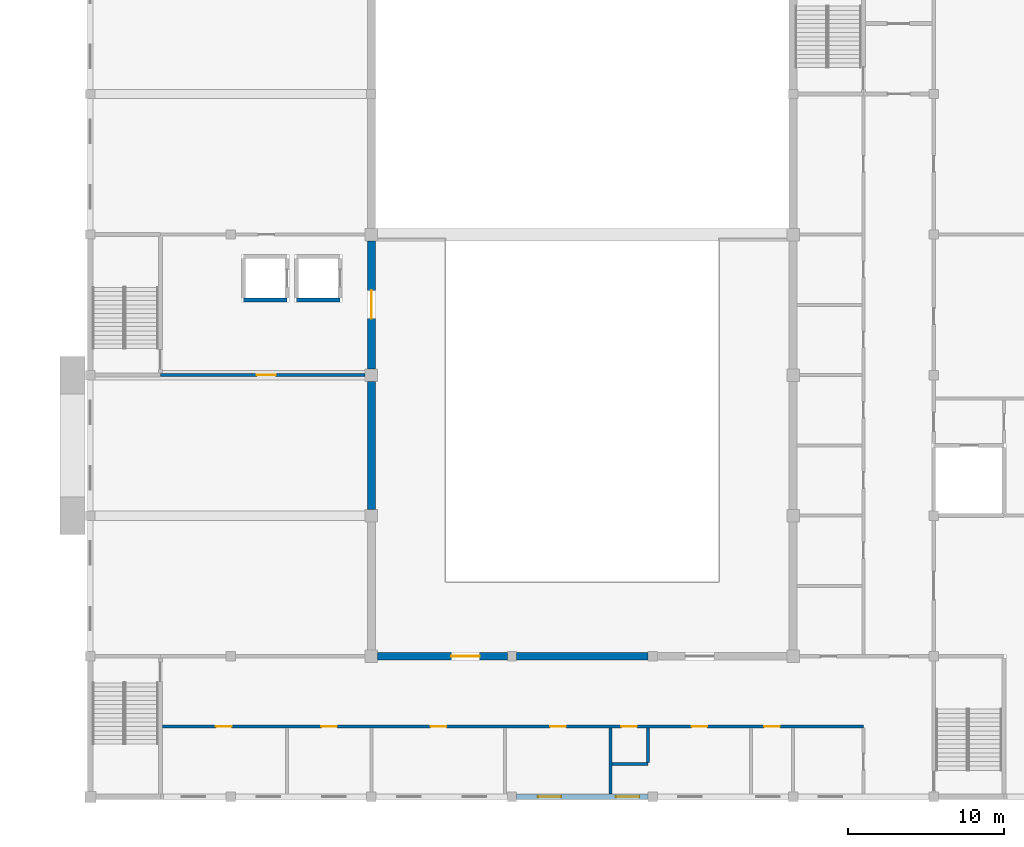
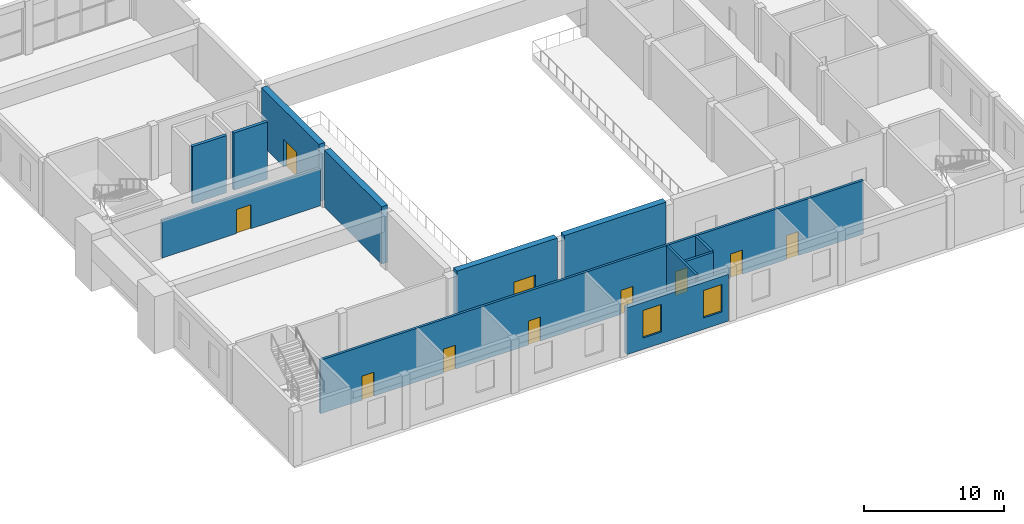
# One storey, part 22 of 34: 12 walls, 10 doors, 2 windows, 12 openings.
"""IFC4 building model written with IfcOpenShell, lengths in metres."""

from ifc_helpers import new_model, si_unit, direction, frame, frame_2d, origin, place, context, subcontext, project, spatial, rectangle, extrude, material, layer, layer_set, type_object, element, fill, save


model = new_model("IFC4")

# Units and contexts
model_context = context("Model", 3, precision=1e-05, world=origin(), true_north=direction((0.0, 1.0)))
body_context = subcontext(model_context, "Body", "Model", "MODEL_VIEW")
ifc_project = project(units=[si_unit("LENGTHUNIT", "METRE"), si_unit("AREAUNIT", "SQUARE_METRE"), si_unit("VOLUMEUNIT", "CUBIC_METRE"), si_unit("PLANEANGLEUNIT", "RADIAN"), si_unit("MASSUNIT", "GRAM", prefix="KILO")], contexts=[model_context])

# Site, building, storey
site_placement = place(None, origin())
site = spatial("IfcSite", under=ifc_project, at=site_placement, CompositionType="ELEMENT")
building_placement = place(site_placement, origin())
building = spatial("IfcBuilding", under=site, at=building_placement, Name="Firuza Court", CompositionType="ELEMENT")
storey_placement = place(building_placement, frame((0.0, 0.0, 19.0)))
storey = spatial("IfcBuildingStorey", under=building, at=storey_placement, Name="L03", CompositionType="ELEMENT", Elevation=19.0)

# Wall
ifc_material_1 = material(Name="Blockwork", Category="masonry")
ifc_layer_1 = layer(ifc_material_1, 0.199951171875)
ifc_layer_set_1 = layer_set([ifc_layer_1], Name="Blockwork")
wall_type_1 = type_object("IfcWallType", Name="HALL PARTITION 200", PredefinedType="STANDARD", material=ifc_layer_set_1)
wall_1_placement = place(storey_placement, frame((123.39990234375, -6.89990234375, 0.0), z_axis=(0.0, 0.0, 1.0), x_axis=(1.0, 0.0, 0.0)))
element("IfcWall", 1, at=wall_1_placement, inside=storey, type_object=wall_type_1, Name="Wall L03.10", PredefinedType="STANDARD", context=body_context, shape_type="SweptSolid", body=[
    extrude(rectangle(XDim=2.300048828125, YDim=0.199951171875, at=frame_2d((1.14990234375, 0.0))), origin(), (0.0, 0.0, 1.0), 4.699951171875),
])

# Wall, openings, doors
wall_2_placement = place(storey_placement, frame((94.625, -4.5, 0.0), z_axis=(0.0, 0.0, 1.0), x_axis=(1.0, 0.0, 0.0)))
wall_2 = element("IfcWall", 2, at=wall_2_placement, inside=storey, type_object=wall_type_1, Name="Wall L03.11", PredefinedType="STANDARD", context=body_context, shape_type="SweptSolid", body=[
    extrude(rectangle(XDim=44.875, YDim=0.199951171875, at=frame_2d((22.4375, 0.0))), origin(), (0.0, 0.0, 1.0), 4.699951171875),
])
opening_1_placement = place(wall_2_placement, frame((3.419921875, 0.0, 0.0)))
opening_1 = element("IfcOpeningElement", 3, at=opening_1_placement, cuts=wall_2, Name="Opening H130", PredefinedType="OPENING", context=body_context, shape_type="SweptSolid", body=[
    extrude(rectangle(XDim=1.0, YDim=2.10009765625, at=frame_2d((0.5, 1.050048828125))), frame((0.0, 0.11181640625, 0.0), z_axis=(0.0, -1.0, 0.0), x_axis=(1.0, 0.0, 0.0)), (0.0, 0.0, 1.0), 0.223876953125),
])
opening_2_placement = place(wall_2_placement, frame((10.169921875, 0.0, 0.0)))
opening_2 = element("IfcOpeningElement", 4, at=opening_2_placement, cuts=wall_2, Name="Opening H131", PredefinedType="OPENING", context=body_context, shape_type="SweptSolid", body=[
    extrude(rectangle(XDim=1.0, YDim=2.10009765625, at=frame_2d((0.5, 1.050048828125))), frame((0.0, 0.11181640625, 0.0), z_axis=(0.0, -1.0, 0.0), x_axis=(1.0, 0.0, 0.0)), (0.0, 0.0, 1.0), 0.223876953125),
])
opening_3_placement = place(wall_2_placement, frame((17.169921875, 0.0, 0.0)))
opening_3 = element("IfcOpeningElement", 5, at=opening_3_placement, cuts=wall_2, Name="Opening H134", PredefinedType="OPENING", context=body_context, shape_type="SweptSolid", body=[
    extrude(rectangle(XDim=1.0, YDim=2.10009765625, at=frame_2d((0.5, 1.050048828125))), frame((0.0, 0.11181640625, 0.0), z_axis=(0.0, -1.0, 0.0), x_axis=(1.0, 0.0, 0.0)), (0.0, 0.0, 1.0), 0.223876953125),
])
opening_4_placement = place(wall_2_placement, frame((24.820068359375, 0.0, 0.0)))
opening_4 = element("IfcOpeningElement", 6, at=opening_4_placement, cuts=wall_2, Name="Opening H135", PredefinedType="OPENING", context=body_context, shape_type="SweptSolid", body=[
    extrude(rectangle(XDim=1.0, YDim=2.10009765625, at=frame_2d((0.5, 1.050048828125))), frame((0.0, 0.11181640625, 0.0), z_axis=(0.0, -1.0, 0.0), x_axis=(1.0, 0.0, 0.0)), (0.0, 0.0, 1.0), 0.223876953125),
])
opening_5_placement = place(wall_2_placement, frame((29.3701171875, 0.0, 0.0)))
opening_5 = element("IfcOpeningElement", 7, at=opening_5_placement, cuts=wall_2, Name="Opening H136", PredefinedType="OPENING", context=body_context, shape_type="SweptSolid", body=[
    extrude(rectangle(XDim=1.0, YDim=2.10009765625, at=frame_2d((0.5, 1.050048828125))), frame((0.0, 0.11181640625, 0.0), z_axis=(0.0, -1.0, 0.0), x_axis=(1.0, 0.0, 0.0)), (0.0, 0.0, 1.0), 0.223876953125),
])
opening_6_placement = place(wall_2_placement, frame((33.8701171875, 0.0, 0.0)))
opening_6 = element("IfcOpeningElement", 8, at=opening_6_placement, cuts=wall_2, Name="Opening H137", PredefinedType="OPENING", context=body_context, shape_type="SweptSolid", body=[
    extrude(rectangle(XDim=1.0, YDim=2.10009765625, at=frame_2d((0.5, 1.050048828125))), frame((0.0, 0.11181640625, 0.0), z_axis=(0.0, -1.0, 0.0), x_axis=(1.0, 0.0, 0.0)), (0.0, 0.0, 1.0), 0.223876953125),
])
opening_7_placement = place(wall_2_placement, frame((38.52001953125, 0.0, 0.0)))
opening_7 = element("IfcOpeningElement", 9, at=opening_7_placement, cuts=wall_2, Name="Opening H138", PredefinedType="OPENING", context=body_context, shape_type="SweptSolid", body=[
    extrude(rectangle(XDim=1.0, YDim=2.10009765625, at=frame_2d((0.5, 1.050048828125))), frame((0.0, 0.11181640625, 0.0), z_axis=(0.0, -1.0, 0.0), x_axis=(1.0, 0.0, 0.0)), (0.0, 0.0, 1.0), 0.223876953125),
])
ifc_material_2 = material(Name="Timber", Category="wood")
door_type_1 = type_object("IfcDoorType", Name="HALL DOOR 1000X2100", OperationType="SINGLE_SWING_LEFT", PredefinedType="DOOR", material=ifc_material_2)
door_1_placement = place(opening_1_placement, frame((1.0, 0.0, 0.0), z_axis=(0.0, 0.0, 1.0), x_axis=(-1.0, 0.0, 0.0)))
door_1 = element("IfcDoor", 10, at=door_1_placement, inside=storey, type_object=door_type_1, Name="Door Sponsors' bar", OperationType="SINGLE_SWING_RIGHT", OverallHeight=2.10009765625, OverallWidth=1.0, PredefinedType="DOOR", context=body_context, shape_type="SweptSolid", body=[
    extrude(rectangle(XDim=1.0, YDim=2.10009765625, at=frame_2d((0.5, 1.050048828125))), frame((0.0, 0.02490234375, 0.0), z_axis=(0.0, -1.0, 0.0), x_axis=(1.0, 0.0, 0.0)), (0.0, 0.0, 1.0), 0.050048828125),
])
fill(opening_1, door_1)
door_2_placement = place(opening_2_placement, frame((1.0, 0.0, 0.0), z_axis=(0.0, 0.0, 1.0), x_axis=(-1.0, 0.0, 0.0)))
door_2 = element("IfcDoor", 11, at=door_2_placement, inside=storey, type_object=door_type_1, Name="Door Stationery store", OperationType="SINGLE_SWING_RIGHT", OverallHeight=2.10009765625, OverallWidth=1.0, PredefinedType="DOOR", context=body_context, shape_type="SweptSolid", body=[
    extrude(rectangle(XDim=1.0, YDim=2.10009765625, at=frame_2d((0.5, 1.050048828125))), frame((0.0, 0.02490234375, 0.0), z_axis=(0.0, -1.0, 0.0), x_axis=(1.0, 0.0, 0.0)), (0.0, 0.0, 1.0), 0.050048828125),
])
fill(opening_2, door_2)
door_3_placement = place(opening_3_placement, frame((1.0, 0.0, 0.0), z_axis=(0.0, 0.0, 1.0), x_axis=(-1.0, 0.0, 0.0)))
door_3 = element("IfcDoor", 12, at=door_3_placement, inside=storey, type_object=door_type_1, Name="Door Women's WC", OperationType="SINGLE_SWING_RIGHT", OverallHeight=2.10009765625, OverallWidth=1.0, PredefinedType="DOOR", context=body_context, shape_type="SweptSolid", body=[
    extrude(rectangle(XDim=1.0, YDim=2.10009765625, at=frame_2d((0.5, 1.050048828125))), frame((0.0, 0.02490234375, 0.0), z_axis=(0.0, -1.0, 0.0), x_axis=(1.0, 0.0, 0.0)), (0.0, 0.0, 1.0), 0.050048828125),
])
fill(opening_3, door_3)
door_4_placement = place(opening_4_placement, frame((1.0, 0.0, 0.0), z_axis=(0.0, 0.0, 1.0), x_axis=(-1.0, 0.0, 0.0)))
door_4 = element("IfcDoor", 13, at=door_4_placement, inside=storey, type_object=door_type_1, Name="Door Men's WC", OperationType="SINGLE_SWING_RIGHT", OverallHeight=2.10009765625, OverallWidth=1.0, PredefinedType="DOOR", context=body_context, shape_type="SweptSolid", body=[
    extrude(rectangle(XDim=1.0, YDim=2.10009765625, at=frame_2d((0.5, 1.050048828125))), frame((0.0, 0.02490234375, 0.0), z_axis=(0.0, -1.0, 0.0), x_axis=(1.0, 0.0, 0.0)), (0.0, 0.0, 1.0), 0.050048828125),
])
fill(opening_4, door_4)
door_5_placement = place(opening_5_placement, frame((1.0, 0.0, 0.0), z_axis=(0.0, 0.0, 1.0), x_axis=(-1.0, 0.0, 0.0)))
door_5 = element("IfcDoor", 14, at=door_5_placement, inside=storey, type_object=door_type_1, Name="Door Accessible WC", OperationType="SINGLE_SWING_RIGHT", OverallHeight=2.10009765625, OverallWidth=1.0, PredefinedType="DOOR", context=body_context, shape_type="SweptSolid", body=[
    extrude(rectangle(XDim=1.0, YDim=2.10009765625, at=frame_2d((0.5, 1.050048828125))), frame((0.0, 0.02490234375, 0.0), z_axis=(0.0, -1.0, 0.0), x_axis=(1.0, 0.0, 0.0)), (0.0, 0.0, 1.0), 0.050048828125),
])
fill(opening_5, door_5)
door_6_placement = place(opening_6_placement, frame((1.0, 0.0, 0.0), z_axis=(0.0, 0.0, 1.0), x_axis=(-1.0, 0.0, 0.0)))
door_6 = element("IfcDoor", 15, at=door_6_placement, inside=storey, type_object=door_type_1, Name="Door Parents' room", OperationType="SINGLE_SWING_RIGHT", OverallHeight=2.10009765625, OverallWidth=1.0, PredefinedType="DOOR", context=body_context, shape_type="SweptSolid", body=[
    extrude(rectangle(XDim=1.0, YDim=2.10009765625, at=frame_2d((0.5, 1.050048828125))), frame((0.0, 0.02490234375, 0.0), z_axis=(0.0, -1.0, 0.0), x_axis=(1.0, 0.0, 0.0)), (0.0, 0.0, 1.0), 0.050048828125),
])
fill(opening_6, door_6)
door_7_placement = place(opening_7_placement, frame((1.0, 0.0, 0.0), z_axis=(0.0, 0.0, 1.0), x_axis=(-1.0, 0.0, 0.0)))
door_7 = element("IfcDoor", 16, at=door_7_placement, inside=storey, type_object=door_type_1, Name="Door Cleaner's store", OperationType="SINGLE_SWING_RIGHT", OverallHeight=2.10009765625, OverallWidth=1.0, PredefinedType="DOOR", context=body_context, shape_type="SweptSolid", body=[
    extrude(rectangle(XDim=1.0, YDim=2.10009765625, at=frame_2d((0.5, 1.050048828125))), frame((0.0, 0.02490234375, 0.0), z_axis=(0.0, -1.0, 0.0), x_axis=(1.0, 0.0, 0.0)), (0.0, 0.0, 1.0), 0.050048828125),
])
fill(opening_7, door_7)

# Wall, opening, door
wall_3_placement = place(storey_placement, frame((94.5, 18.0, 0.0), z_axis=(0.0, 0.0, 1.0), x_axis=(1.0, 0.0, 0.0)))
wall_3 = element("IfcWall", 17, at=wall_3_placement, inside=storey, type_object=wall_type_1, Name="Wall L03.28", PredefinedType="STANDARD", context=body_context, shape_type="SweptSolid", body=[
    extrude(rectangle(XDim=13.10009765625, YDim=0.199951171875, at=frame_2d((6.550048828125, 0.0))), origin(), (0.0, 0.0, 1.0), 3.300048828125),
])
opening_8_placement = place(wall_3_placement, frame((6.169921875, 0.0, 0.0)))
opening_8 = element("IfcOpeningElement", 18, at=opening_8_placement, cuts=wall_3, Name="Opening H122", PredefinedType="OPENING", context=body_context, shape_type="SweptSolid", body=[
    extrude(rectangle(XDim=1.199951171875, YDim=2.10009765625, at=frame_2d((0.60009765625, 1.050048828125))), frame((0.0, 0.11181640625, 0.0), z_axis=(0.0, -1.0, 0.0), x_axis=(1.0, 0.0, 0.0)), (0.0, 0.0, 1.0), 0.223876953125),
])
ifc_material_3 = material(Name="Timber", Category="wood")
door_type_2 = type_object("IfcDoorType", Name="HALL DOOR 1200X2100", OperationType="SINGLE_SWING_LEFT", PredefinedType="DOOR", material=ifc_material_3)
door_8_placement = place(opening_8_placement, origin())
door_8 = element("IfcDoor", 19, at=door_8_placement, inside=storey, type_object=door_type_2, Name="Door Sponsors' lounge to Upper balcony foyer", OperationType="SINGLE_SWING_RIGHT", OverallHeight=2.10009765625, OverallWidth=1.199951171875, PredefinedType="DOOR", context=body_context, shape_type="SweptSolid", body=[
    extrude(rectangle(XDim=1.199951171875, YDim=2.10009765625, at=frame_2d((0.60009765625, 1.050048828125))), frame((0.0, 0.02490234375, 0.0), z_axis=(0.0, -1.0, 0.0), x_axis=(1.0, 0.0, 0.0)), (0.0, 0.0, 1.0), 0.050048828125),
])
fill(opening_8, door_8)

# Walls
wall_4_placement = place(storey_placement, frame((123.300048828125, -8.824951171875, 0.0), z_axis=(0.0, 0.0, 1.0), x_axis=(0.0, 1.0, 0.0)))
element("IfcWall", 20, at=wall_4_placement, inside=storey, type_object=wall_type_1, Name="Wall L03.69", PredefinedType="STANDARD", context=body_context, shape_type="SweptSolid", body=[
    extrude(rectangle(XDim=4.224853515625, YDim=0.199951171875, at=frame_2d((2.1123046875, 0.0))), origin(), (0.0, 0.0, 1.0), 4.699951171875),
])
wall_5_placement = place(storey_placement, frame((125.699951171875, -6.800048828125, 0.0), z_axis=(0.0, 0.0, 1.0), x_axis=(0.0, 1.0, 0.0)))
element("IfcWall", 21, at=wall_5_placement, inside=storey, type_object=wall_type_1, Name="Wall L03.70", PredefinedType="STANDARD", context=body_context, shape_type="SweptSolid", body=[
    extrude(rectangle(XDim=2.199951171875, YDim=0.199951171875, at=frame_2d((1.10009765625, 0.0))), origin(), (0.0, 0.0, 1.0), 4.699951171875),
])
ifc_material_4 = material(Name="Concrete C40/50", Category="concrete")
ifc_layer_2 = layer(ifc_material_4, 0.25)
ifc_layer_set_2 = layer_set([ifc_layer_2], Name="Concrete C40/50")
wall_type_2 = type_object("IfcWallType", Name="HALL RC WALL 250", PredefinedType="STANDARD", material=ifc_layer_set_2)
for number, where, z_axis, x_axis, name in (
    (22, (99.800048828125, 22.800048828125, 0.0), (0.0, 0.0, 1.0), (1.0, 0.0, 0.0), "Wall L03.31"),
    (23, (103.199951171875, 22.800048828125, 0.0), (0.0, 0.0, 1.0), (1.0, 0.0, 0.0), "Wall L03.32"),
):
    element("IfcWall", number, at=place(storey_placement, frame(where, z_axis=z_axis, x_axis=x_axis)), inside=storey, type_object=wall_type_2, Name=name, PredefinedType="STANDARD", context=body_context, shape_type="SweptSolid", body=[
        extrude(rectangle(XDim=2.800048828125, YDim=0.25, at=frame_2d((1.39990234375, 0.0))), origin(), (0.0, 0.0, 1.0), 5.0),
    ])

# Wall, opening, door
ifc_layer_3 = layer(ifc_material_4, 0.5)
ifc_layer_set_3 = layer_set([ifc_layer_3], Name="Concrete C40/50")
wall_type_3 = type_object("IfcWallType", Name="HALL RC WALL 500", PredefinedType="STANDARD", material=ifc_layer_set_3)
wall_6_placement = place(storey_placement, frame((108.39990234375, 0.0, 0.0), z_axis=(0.0, 0.0, 1.0), x_axis=(1.0, 0.0, 0.0)))
wall_6 = element("IfcWall", 24, at=wall_6_placement, inside=storey, type_object=wall_type_3, Name="Wall L03.15", PredefinedType="STANDARD", context=body_context, shape_type="SweptSolid", body=[
    extrude(rectangle(XDim=8.300048828125, YDim=0.5, at=frame_2d((4.14990234375, 0.0))), origin(), (0.0, 0.0, 1.0), 5.0),
])
opening_9_placement = place(wall_6_placement, frame((4.719970703125, 0.0, 0.0)))
opening_9 = element("IfcOpeningElement", 25, at=opening_9_placement, cuts=wall_6, Name="Opening H124", PredefinedType="OPENING", context=body_context, shape_type="SweptSolid", body=[
    extrude(rectangle(XDim=1.800048828125, YDim=2.39990234375, at=frame_2d((0.89990234375, 1.199951171875))), frame((0.0, 0.261962890625, 0.0), z_axis=(0.0, -1.0, 0.0), x_axis=(1.0, 0.0, 0.0)), (0.0, 0.0, 1.0), 0.52392578125),
])
ifc_material_5 = material(Name="Timber", Category="wood")
door_type_3 = type_object("IfcDoorType", Name="HALL DOOR 1800X2400", OperationType="DOUBLE_DOOR_SINGLE_SWING", PredefinedType="DOOR", material=ifc_material_5)
door_9_placement = place(opening_9_placement, origin())
door_9 = element("IfcDoor", 26, at=door_9_placement, inside=storey, type_object=door_type_3, Name="Exit door balcony south 1 L03", OperationType="DOUBLE_DOOR_SINGLE_SWING", OverallHeight=2.39990234375, OverallWidth=1.800048828125, PredefinedType="DOOR", context=body_context, shape_type="SweptSolid", body=[
    extrude(rectangle(XDim=1.800048828125, YDim=2.39990234375, at=frame_2d((0.89990234375, 1.199951171875))), frame((0.0, 0.02490234375, 0.0), z_axis=(0.0, -1.0, 0.0), x_axis=(1.0, 0.0, 0.0)), (0.0, 0.0, 1.0), 0.050048828125),
])
fill(opening_9, door_9)

# Walls
wall_7_placement = place(storey_placement, frame((117.300048828125, 0.0, 0.0), z_axis=(0.0, 0.0, 1.0), x_axis=(1.0, 0.0, 0.0)))
element("IfcWall", 27, at=wall_7_placement, inside=storey, type_object=wall_type_3, Name="Wall L03.16", PredefinedType="STANDARD", context=body_context, shape_type="SweptSolid", body=[
    extrude(rectangle(XDim=8.39990234375, YDim=0.5, at=frame_2d((4.199951171875, 0.0))), origin(), (0.0, 0.0, 1.0), 5.0),
])
wall_8_placement = place(storey_placement, frame((108.0, 9.39990234375, 0.0), z_axis=(0.0, 0.0, 1.0), x_axis=(0.0, 1.0, 0.0)))
element("IfcWall", 28, at=wall_8_placement, inside=storey, type_object=wall_type_3, Name="Wall L03.64", PredefinedType="STANDARD", context=body_context, shape_type="SweptSolid", body=[
    extrude(rectangle(XDim=8.2001953125, YDim=0.5, at=frame_2d((4.10009765625, 0.0))), origin(), (0.0, 0.0, 1.0), 5.0),
])

# Wall, opening, door
wall_9_placement = place(storey_placement, frame((108.0, 18.39990234375, 0.0), z_axis=(0.0, 0.0, 1.0), x_axis=(0.0, 1.0, 0.0)))
wall_9 = element("IfcWall", 29, at=wall_9_placement, inside=storey, type_object=wall_type_3, Name="Wall L03.65", PredefinedType="STANDARD", context=body_context, shape_type="SweptSolid", body=[
    extrude(rectangle(XDim=8.2001953125, YDim=0.5, at=frame_2d((4.10009765625, 0.0))), origin(), (0.0, 0.0, 1.0), 5.0),
])
opening_10_placement = place(wall_9_placement, frame((3.219970703125, 0.0, 0.0)))
opening_10 = element("IfcOpeningElement", 30, at=opening_10_placement, cuts=wall_9, Name="Opening H123", PredefinedType="OPENING", context=body_context, shape_type="SweptSolid", body=[
    extrude(rectangle(XDim=1.800048828125, YDim=2.39990234375, at=frame_2d((0.89990234375, 1.199951171875))), frame((0.0, 0.261962890625, 0.0), z_axis=(0.0, -1.0, 0.0), x_axis=(1.0, 0.0, 0.0)), (0.0, 0.0, 1.0), 0.52392578125),
])
door_10_placement = place(opening_10_placement, origin())
door_10 = element("IfcDoor", 31, at=door_10_placement, inside=storey, type_object=door_type_3, Name="Exit door balcony west L03", OperationType="DOUBLE_DOOR_SINGLE_SWING", OverallHeight=2.39990234375, OverallWidth=1.800048828125, PredefinedType="DOOR", context=body_context, shape_type="SweptSolid", body=[
    extrude(rectangle(XDim=1.800048828125, YDim=2.39990234375, at=frame_2d((0.89990234375, 1.199951171875))), frame((0.0, 0.02490234375, 0.0), z_axis=(0.0, -1.0, 0.0), x_axis=(1.0, 0.0, 0.0)), (0.0, 0.0, 1.0), 0.050048828125),
])
fill(opening_10, door_10)

# Wall, openings, windows
ifc_material_6 = material(Name="Concrete C30/37", Category="concrete")
ifc_layer_4 = layer(ifc_material_6, 0.300048828125)
ifc_material_7 = material(Name="Ceramic tile", Category="ceramic")
ifc_layer_5 = layer(ifc_material_7, 0.050048828125)
ifc_layer_set_4 = layer_set([ifc_layer_4, ifc_layer_5], Name="Concrete C30/37")
wall_type_4 = type_object("IfcWallType", Name="HALL TILE CLAD WALL 350", PredefinedType="STANDARD", material=ifc_layer_set_4)
wall_10_placement = place(storey_placement, frame((117.300048828125, -9.0, 0.0), z_axis=(0.0, 0.0, 1.0), x_axis=(1.0, 0.0, 0.0)))
wall_10 = element("IfcWall", 32, at=wall_10_placement, inside=storey, type_object=wall_type_4, Name="Wall L03.5", PredefinedType="STANDARD", context=body_context, shape_type="SweptSolid", body=[
    extrude(rectangle(XDim=8.39990234375, YDim=0.35009765625, at=frame_2d((4.199951171875, 0.0))), origin(), (0.0, 0.0, 1.0), 4.10009765625),
])
opening_11_placement = place(wall_10_placement, frame((1.35009765625, 0.0, 1.0)))
opening_11 = element("IfcOpeningElement", 33, at=opening_11_placement, cuts=wall_10, Name="Opening HW-1", PredefinedType="OPENING", context=body_context, shape_type="SweptSolid", body=[
    extrude(rectangle(XDim=1.5, YDim=2.39990234375, at=frame_2d((0.75, 1.199951171875))), frame((0.0, 0.18701171875, 0.0), z_axis=(0.0, -1.0, 0.0), x_axis=(1.0, 0.0, 0.0)), (0.0, 0.0, 1.0), 0.3740234375),
])
opening_12_placement = place(wall_10_placement, frame((6.35009765625, 0.0, 1.0)))
opening_12 = element("IfcOpeningElement", 34, at=opening_12_placement, cuts=wall_10, Name="Opening HW-1", PredefinedType="OPENING", context=body_context, shape_type="SweptSolid", body=[
    extrude(rectangle(XDim=1.5, YDim=2.39990234375, at=frame_2d((0.75, 1.199951171875))), frame((0.0, 0.18701171875, 0.0), z_axis=(0.0, -1.0, 0.0), x_axis=(1.0, 0.0, 0.0)), (0.0, 0.0, 1.0), 0.3740234375),
])
ifc_material_8 = material(Name="Aluminium", Category="aluminium")
window_type = type_object("IfcWindowType", Name="HALL WINDOW 1500X2400", PartitioningType="SINGLE_PANEL", PredefinedType="WINDOW", material=ifc_material_8)
window_1_placement = place(opening_11_placement, origin())
window_1 = element("IfcWindow", 35, at=window_1_placement, inside=storey, type_object=window_type, Name="Window L03.81", OverallHeight=2.39990234375, OverallWidth=1.5, PartitioningType="SINGLE_PANEL", PredefinedType="WINDOW", context=body_context, shape_type="SweptSolid", body=[
    extrude(rectangle(XDim=1.5, YDim=2.39990234375, at=frame_2d((0.75, 1.199951171875))), frame((0.0, 0.030029296875, 0.0), z_axis=(0.0, -1.0, 0.0), x_axis=(1.0, 0.0, 0.0)), (0.0, 0.0, 1.0), 0.06005859375),
])
fill(opening_11, window_1)
window_2_placement = place(opening_12_placement, origin())
window_2 = element("IfcWindow", 36, at=window_2_placement, inside=storey, type_object=window_type, Name="Window L03.82", OverallHeight=2.39990234375, OverallWidth=1.5, PartitioningType="SINGLE_PANEL", PredefinedType="WINDOW", context=body_context, shape_type="SweptSolid", body=[
    extrude(rectangle(XDim=1.5, YDim=2.39990234375, at=frame_2d((0.75, 1.199951171875))), frame((0.0, 0.030029296875, 0.0), z_axis=(0.0, -1.0, 0.0), x_axis=(1.0, 0.0, 0.0)), (0.0, 0.0, 1.0), 0.06005859375),
])
fill(opening_12, window_2)

save(model, "model.ifc")
